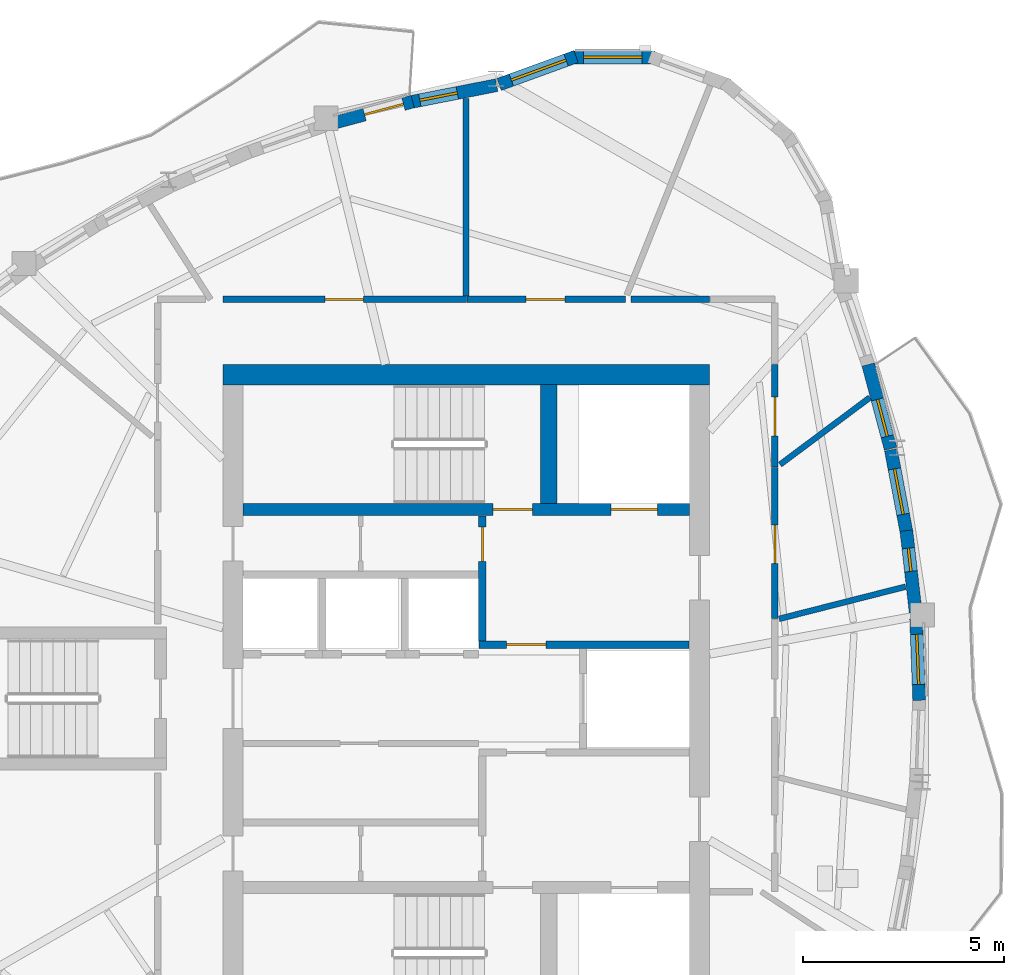
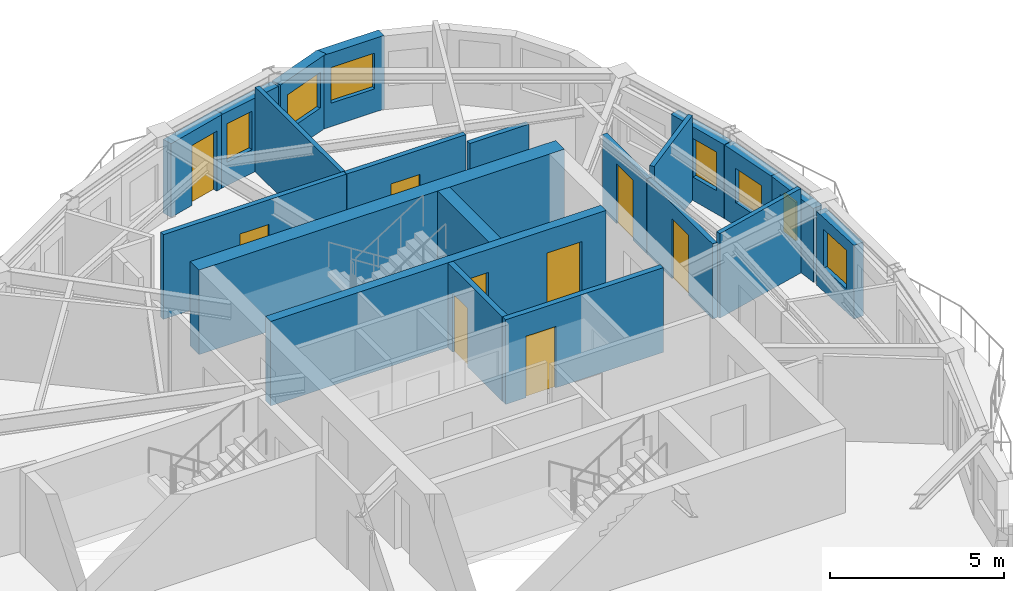
# One storey, part 6 of 11: 21 walls, 9 doors, 7 windows, 16 openings.
"""IFC4 building model written with IfcOpenShell, lengths in metres."""

from ifc_helpers import new_model, si_unit, direction, frame, frame_2d, origin, place, context, subcontext, project, spatial, rectangle, extrude, source, transform, mapped, material, layer, layer_set, type_object, element, fill, save


model = new_model("IFC4")

# Units and contexts
model_context = context("Model", 3, precision=1e-05, world=origin(), true_north=direction((0.0, 1.0)))
body_context = subcontext(model_context, "Body", "Model", "MODEL_VIEW")
ifc_project = project(units=[si_unit("LENGTHUNIT", "METRE"), si_unit("AREAUNIT", "SQUARE_METRE"), si_unit("VOLUMEUNIT", "CUBIC_METRE"), si_unit("PLANEANGLEUNIT", "RADIAN"), si_unit("MASSUNIT", "GRAM", prefix="KILO")], contexts=[model_context])

# Site, building, storey
site_placement = place(None, origin())
site = spatial("IfcSite", under=ifc_project, at=site_placement, CompositionType="ELEMENT")
building_placement = place(site_placement, origin())
building = spatial("IfcBuilding", under=site, at=building_placement, Name="Qafzar Sky-Pleat Residences", CompositionType="ELEMENT")
storey_placement = place(building_placement, frame((0.0, 0.0, 234.0)))
storey = spatial("IfcBuildingStorey", under=building, at=storey_placement, Name="L70", CompositionType="ELEMENT", Elevation=234.0)

# Wall, opening, door
ifc_material_1 = material(Name="Acoustic gypsum plasterboard partition", Category="gypsum")
ifc_layer_1 = layer(ifc_material_1, 0.159912109375)
ifc_layer_set_1 = layer_set([ifc_layer_1], Name="Acoustic gypsum plasterboard partition")
wall_type_1 = type_object("IfcWallType", Name="PART-COR-160", PredefinedType="PARTITIONING", material=ifc_layer_set_1)
wall_1_placement = place(storey_placement, frame((24.300048828125, 35.919921875, 0.0), z_axis=(0.0, 0.0, 1.0), x_axis=(1.0, 0.0, 0.0)))
wall_1 = element("IfcWall", 1, at=wall_1_placement, inside=storey, type_object=wall_type_1, Name="L70 Partition Wall PART-L70-PW-001", PredefinedType="PARTITIONING", context=body_context, shape_type="SweptSolid", body=[
    extrude(rectangle(XDim=6.057861328125, YDim=0.159912109375, at=frame_2d((3.02880859375, 0.0))), origin(), (0.0, 0.0, 1.0), 2.9599609375),
])
opening_1_placement = place(wall_1_placement, frame((2.54150390625, 0.0, 0.0)))
opening_1 = element("IfcOpeningElement", 2, at=opening_1_placement, cuts=wall_1, Name="Opening ID-06", PredefinedType="OPENING", context=body_context, shape_type="SweptSolid", body=[
    extrude(rectangle(XDim=0.9599609375, YDim=2.10009765625, at=frame_2d((0.47998046875, 1.050048828125))), frame((0.0, 0.08984375, 0.0), z_axis=(0.0, -1.0, 0.0), x_axis=(1.0, 0.0, 0.0)), (0.0, 0.0, 1.0), 0.179931640625),
])
ifc_material_2 = material(Name="Timber-faced fire door", Category="wood")
door_type_1 = type_object("IfcDoorType", Name="DR-STD-960", OperationType="NOTDEFINED", PredefinedType="DOOR", material=ifc_material_2)
shared_shape_1 = source(origin(), body_context, "Body", "SweptSolid", [
    extrude(rectangle(XDim=0.9599609375, YDim=2.10009765625, at=frame_2d((0.47998046875, 1.050048828125))), frame((0.0, 0.02490234375, 0.0), z_axis=(0.0, -1.0, 0.0), x_axis=(1.0, 0.0, 0.0)), (0.0, 0.0, 1.0), 0.050048828125),
])
door_1_placement = place(opening_1_placement, origin())
door_1 = element("IfcDoor", 3, at=door_1_placement, inside=storey, type_object=door_type_1, Name="L70 Faculty Research Office Door", OperationType="SINGLE_SWING_LEFT", OverallHeight=2.10009765625, OverallWidth=0.9599609375, PredefinedType="DOOR", context=body_context, shape_type="MappedRepresentation", body=[
    mapped(shared_shape_1, transform((0.0, 0.0, 0.0), x_axis=(1.0, 0.0, 0.0), y_axis=(0.0, 1.0, 0.0), z_axis=(0.0, 0.0, 1.0), scale=1.0)),
])
fill(opening_1, door_1)

wall_2_placement = place(storey_placement, frame((30.373046875, 35.919921875, 0.0), z_axis=(0.0, 0.0, 1.0), x_axis=(1.0, 0.0, 0.0)))
wall_2 = element("IfcWall", 4, at=wall_2_placement, inside=storey, type_object=wall_type_1, Name="L70 Partition Wall PART-L70-PW-004", PredefinedType="PARTITIONING", context=body_context, shape_type="SweptSolid", body=[
    extrude(rectangle(XDim=3.93994140625, YDim=0.159912109375, at=frame_2d((1.969970703125, 0.0))), origin(), (0.0, 0.0, 1.0), 2.9599609375),
])
opening_2_placement = place(wall_2_placement, frame((1.467041015625, 0.0, 0.0)))
opening_2 = element("IfcOpeningElement", 5, at=opening_2_placement, cuts=wall_2, Name="Opening ID-06", PredefinedType="OPENING", context=body_context, shape_type="SweptSolid", body=[
    extrude(rectangle(XDim=0.9599609375, YDim=2.10009765625, at=frame_2d((0.47998046875, 1.050048828125))), frame((0.0, 0.08984375, 0.0), z_axis=(0.0, -1.0, 0.0), x_axis=(1.0, 0.0, 0.0)), (0.0, 0.0, 1.0), 0.179931640625),
])
door_2_placement = place(opening_2_placement, origin())
door_2 = element("IfcDoor", 6, at=door_2_placement, inside=storey, type_object=door_type_1, Name="L70 Reading Library Door", OperationType="SINGLE_SWING_LEFT", OverallHeight=2.10009765625, OverallWidth=0.9599609375, PredefinedType="DOOR", context=body_context, shape_type="MappedRepresentation", body=[
    mapped(shared_shape_1, transform((0.0, 0.0, 0.0), x_axis=(1.0, 0.0, 0.0), y_axis=(0.0, 1.0, 0.0), z_axis=(0.0, 0.0, 1.0), scale=1.0)),
])
fill(opening_2, door_2)

wall_3_placement = place(storey_placement, frame((38.02001953125, 31.739013671875, 0.0), z_axis=(0.0, 0.0, 1.0), x_axis=(0.0, -1.0, 0.0)))
wall_3 = element("IfcWall", 7, at=wall_3_placement, inside=storey, type_object=wall_type_1, Name="L70 Partition Wall PART-L70-PW-006", PredefinedType="PARTITIONING", context=body_context, shape_type="SweptSolid", body=[
    extrude(rectangle(XDim=3.755126953125, YDim=0.159912109375, at=frame_2d((1.87744140625, 0.0))), origin(), (0.0, 0.0, 1.0), 2.6279296875),
])
opening_3_placement = place(wall_3_placement, frame((1.422119140625, 0.0, 0.0)))
opening_3 = element("IfcOpeningElement", 8, at=opening_3_placement, cuts=wall_3, Name="Opening ID-06", PredefinedType="OPENING", context=body_context, shape_type="SweptSolid", body=[
    extrude(rectangle(XDim=0.9599609375, YDim=2.10009765625, at=frame_2d((0.47998046875, 1.050048828125))), frame((0.0, 0.08984375, 0.0), z_axis=(0.0, -1.0, 0.0), x_axis=(1.0, 0.0, 0.0)), (0.0, 0.0, 1.0), 0.179931640625),
])
door_3_placement = place(opening_3_placement, origin())
door_3 = element("IfcDoor", 9, at=door_3_placement, inside=storey, type_object=door_type_1, Name="L70 Music Practice Room Door", OperationType="SINGLE_SWING_LEFT", OverallHeight=2.10009765625, OverallWidth=0.9599609375, PredefinedType="DOOR", context=body_context, shape_type="MappedRepresentation", body=[
    mapped(shared_shape_1, transform((0.0, 0.0, 0.0), x_axis=(1.0, 0.0, 0.0), y_axis=(0.0, 1.0, 0.0), z_axis=(0.0, 0.0, 1.0), scale=1.0)),
])
fill(opening_3, door_3)

wall_4_placement = place(storey_placement, frame((38.02001953125, 31.75390625, 0.0), z_axis=(0.0, 0.0, 1.0), x_axis=(0.0, 1.0, 0.0)))
wall_4 = element("IfcWall", 10, at=wall_4_placement, inside=storey, type_object=wall_type_1, Name="L70 Partition Wall PART-L70-PW-008", PredefinedType="PARTITIONING", context=body_context, shape_type="SweptSolid", body=[
    extrude(rectangle(XDim=2.546142578125, YDim=0.159912109375, at=frame_2d((1.27294921875, 0.0))), origin(), (0.0, 0.0, 1.0), 2.6279296875),
])
opening_4_placement = place(wall_4_placement, frame((0.77587890625, 0.0, 0.0)))
opening_4 = element("IfcOpeningElement", 11, at=opening_4_placement, cuts=wall_4, Name="Opening ID-06", PredefinedType="OPENING", context=body_context, shape_type="SweptSolid", body=[
    extrude(rectangle(XDim=0.9599609375, YDim=2.10009765625, at=frame_2d((0.47998046875, 1.050048828125))), frame((0.0, 0.08984375, 0.0), z_axis=(0.0, -1.0, 0.0), x_axis=(1.0, 0.0, 0.0)), (0.0, 0.0, 1.0), 0.179931640625),
])
door_4_placement = place(opening_4_placement, origin())
door_4 = element("IfcDoor", 12, at=door_4_placement, inside=storey, type_object=door_type_1, Name="L70 Wellness Yoga Studio Door", OperationType="SINGLE_SWING_LEFT", OverallHeight=2.10009765625, OverallWidth=0.9599609375, PredefinedType="DOOR", context=body_context, shape_type="MappedRepresentation", body=[
    mapped(shared_shape_1, transform((0.0, 0.0, 0.0), x_axis=(1.0, 0.0, 0.0), y_axis=(0.0, 1.0, 0.0), z_axis=(0.0, 0.0, 1.0), scale=1.0)),
])
fill(opening_4, door_4)

# Wall
wall_5_placement = place(storey_placement, frame((34.44580078125, 35.919921875, 0.0), z_axis=(0.0, 0.0, 1.0), x_axis=(1.0, 0.0, 0.0)))
element("IfcWall", 13, at=wall_5_placement, inside=storey, type_object=wall_type_1, Name="L70 Partition Wall PART-L70-PW-021", PredefinedType="PARTITIONING", context=body_context, shape_type="SweptSolid", body=[
    extrude(rectangle(XDim=1.9541015625, YDim=0.159912109375, at=frame_2d((0.97705078125, 0.0))), origin(), (0.0, 0.0, 1.0), 2.597900390625),
])

# Wall, opening, door
ifc_material_3 = material(Name="Concrete blockwork partition", Category="masonry")
ifc_layer_2 = layer(ifc_material_3, 0.179931640625)
ifc_layer_set_2 = layer_set([ifc_layer_2], Name="Concrete blockwork partition")
wall_type_2 = type_object("IfcWallType", Name="PART-SHAFT-180", PredefinedType="PARTITIONING", material=ifc_layer_set_2)
wall_6_placement = place(storey_placement, frame((30.75, 27.429931640625, 0.0), z_axis=(0.0, 0.0, 1.0), x_axis=(0.0, 1.0, 0.0)))
wall_6 = element("IfcWall", 14, at=wall_6_placement, inside=storey, type_object=wall_type_2, Name="L70 Partition Wall PART-L70-FFL2-W", PredefinedType="PARTITIONING", context=body_context, shape_type="SweptSolid", body=[
    extrude(rectangle(XDim=3.110107421875, YDim=0.179931640625, at=frame_2d((1.55517578125, 0.0))), origin(), (0.0, 0.0, 1.0), 2.9599609375),
])
opening_5_placement = place(wall_6_placement, frame((1.97998046875, 0.0, 0.0)))
opening_5 = element("IfcOpeningElement", 15, at=opening_5_placement, cuts=wall_6, Name="Opening ID-09", PredefinedType="OPENING", context=body_context, shape_type="SweptSolid", body=[
    extrude(rectangle(XDim=0.860107421875, YDim=2.050048828125, at=frame_2d((0.43017578125, 1.02490234375))), frame((0.0, 0.10009765625, 0.0), z_axis=(0.0, -1.0, 0.0), x_axis=(1.0, 0.0, 0.0)), (0.0, 0.0, 1.0), 0.199951171875),
])
door_type_2 = type_object("IfcDoorType", Name="DR-SVC-860", OperationType="NOTDEFINED", PredefinedType="DOOR", material=ifc_material_2)
shared_shape_2 = source(origin(), body_context, "Body", "SweptSolid", [
    extrude(rectangle(XDim=0.860107421875, YDim=2.050048828125, at=frame_2d((0.43017578125, 1.02490234375))), frame((0.0, 0.02490234375, 0.0), z_axis=(0.0, -1.0, 0.0), x_axis=(1.0, 0.0, 0.0)), (0.0, 0.0, 1.0), 0.050048828125),
])
door_5_placement = place(opening_5_placement, origin())
door_5 = element("IfcDoor", 16, at=door_5_placement, inside=storey, type_object=door_type_2, Name="L70 North Core Cupboard Door", OperationType="SINGLE_SWING_RIGHT", OverallHeight=2.050048828125, OverallWidth=0.860107421875, PredefinedType="DOOR", context=body_context, shape_type="MappedRepresentation", body=[
    mapped(shared_shape_2, transform((0.0, 0.0, 0.0), x_axis=(1.0, 0.0, 0.0), y_axis=(0.0, 1.0, 0.0), z_axis=(0.0, 0.0, 1.0), scale=1.0)),
])
fill(opening_5, door_5)

wall_7_placement = place(storey_placement, frame((30.669921875, 27.340087890625, 0.0), z_axis=(0.0, 0.0, 1.0), x_axis=(1.0, 0.0, 0.0)))
wall_7 = element("IfcWall", 17, at=wall_7_placement, inside=storey, type_object=wall_type_2, Name="L70 Partition Wall PART-L70-FFL2-S", PredefinedType="PARTITIONING", context=body_context, shape_type="SweptSolid", body=[
    extrude(rectangle(XDim=5.219970703125, YDim=0.179931640625, at=frame_2d((2.60986328125, 0.0))), origin(), (0.0, 0.0, 1.0), 2.9599609375),
])
opening_6_placement = place(wall_7_placement, frame((0.679931640625, 0.0, 0.0)))
opening_6 = element("IfcOpeningElement", 18, at=opening_6_placement, cuts=wall_7, Name="Opening ID-01", PredefinedType="OPENING", context=body_context, shape_type="SweptSolid", body=[
    extrude(rectangle(XDim=0.97998046875, YDim=2.14990234375, at=frame_2d((0.489990234375, 1.074951171875))), frame((0.0, 0.10009765625, 0.0), z_axis=(0.0, -1.0, 0.0), x_axis=(1.0, 0.0, 0.0)), (0.0, 0.0, 1.0), 0.199951171875),
])
door_type_3 = type_object("IfcDoorType", Name="DR-STAIR-980", OperationType="NOTDEFINED", PredefinedType="DOOR", material=ifc_material_2)
shared_shape_3 = source(origin(), body_context, "Body", "SweptSolid", [
    extrude(rectangle(XDim=0.97998046875, YDim=2.14990234375, at=frame_2d((0.489990234375, 1.074951171875))), frame((0.0, 0.02490234375, 0.0), z_axis=(0.0, -1.0, 0.0), x_axis=(1.0, 0.0, 0.0)), (0.0, 0.0, 1.0), 0.050048828125),
])
door_6_placement = place(opening_6_placement, origin())
door_6 = element("IfcDoor", 19, at=door_6_placement, inside=storey, type_object=door_type_3, Name="L70 Lift Lobby to North Firefighting Lobby Door", OperationType="SINGLE_SWING_LEFT", OverallHeight=2.14990234375, OverallWidth=0.97998046875, PredefinedType="DOOR", context=body_context, shape_type="MappedRepresentation", body=[
    mapped(shared_shape_3, transform((0.0, 0.0, 0.0), x_axis=(1.0, 0.0, 0.0), y_axis=(0.0, 1.0, 0.0), z_axis=(0.0, 0.0, 1.0), scale=1.0)),
])
fill(opening_6, door_6)

# Walls
ifc_layer_3 = layer(ifc_material_1, 0.14501953125)
ifc_layer_set_3 = layer_set([ifc_layer_3], Name="Acoustic gypsum plasterboard partition")
wall_type_3 = type_object("IfcWallType", Name="PART-UNIT-145", PredefinedType="PARTITIONING", material=ifc_layer_set_3)
wall_8_placement = place(storey_placement, frame((30.340087890625, 40.909912109375, 0.0), z_axis=(0.0, 0.0, 1.0), x_axis=(0.000597668984, -0.999999821396, 0.0)))
element("IfcWall", 20, at=wall_8_placement, inside=storey, type_object=wall_type_3, Name="L70 Partition Wall PART-L70-PW-014", PredefinedType="PARTITIONING", context=body_context, shape_type="SweptSolid", body=[
    extrude(rectangle(XDim=4.90185546875, YDim=0.14501953125, at=frame_2d((2.450927734375, 0.0))), origin(), (0.0, 0.0, 1.0), 2.9599609375),
])
wall_9_placement = place(storey_placement, frame((38.12548828125, 27.98095703125, 0.0), z_axis=(0.0, 0.0, 1.0), x_axis=(0.969102081124, 0.246660001541, 0.0)))
element("IfcWall", 21, at=wall_9_placement, inside=storey, type_object=wall_type_3, Name="L70 Partition Wall PART-L70-PW-018", PredefinedType="PARTITIONING", context=body_context, shape_type="SweptSolid", body=[
    extrude(rectangle(XDim=3.243408203125, YDim=0.14501953125, at=frame_2d((1.62158203125, 0.0))), origin(), (0.0, 0.0, 1.0), 2.9599609375),
])
wall_10_placement = place(storey_placement, frame((38.14990234375, 31.81689453125, 0.0), z_axis=(0.0, 0.0, 1.0), x_axis=(0.8016068225, 0.597851571982, 0.0)))
element("IfcWall", 22, at=wall_10_placement, inside=storey, type_object=wall_type_3, Name="L70 Partition Wall PART-L70-PW-019", PredefinedType="PARTITIONING", context=body_context, shape_type="SweptSolid", body=[
    extrude(rectangle(XDim=2.78466796875, YDim=0.14501953125, at=frame_2d((1.392333984375, 0.0))), origin(), (0.0, 0.0, 1.0), 2.9599609375),
])

# Wall, opening, window
ifc_material_4 = material(Name="Precast concrete C40/50 with honed Riyadh limestone", Category="concrete")
ifc_layer_4 = layer(ifc_material_4, 0.320068359375)
ifc_layer_set_4 = layer_set([ifc_layer_4], Name="Precast concrete C40/50 with honed Riyadh limestone")
wall_type_4 = type_object("IfcWallType", Name="WALL-EXT-320", PredefinedType="SOLIDWALL", material=ifc_layer_set_4)
wall_11_placement = place(storey_placement, frame((41.609619140625, 25.9560546875, 0.0), z_axis=(0.0, 0.0, 1.0), x_axis=(-0.038076792699, 0.999274815983, 0.0)))
wall_11 = element("IfcWall", 23, at=wall_11_placement, inside=storey, type_object=wall_type_4, Name="L70 Limestone Facade Wall 28", PredefinedType="SOLIDWALL", context=body_context, shape_type="SweptSolid", body=[
    extrude(rectangle(XDim=2.026123046875, YDim=0.320068359375, at=frame_2d((1.01318359375, 0.0))), origin(), (0.0, 0.0, 1.0), 2.580078125),
])
opening_7_placement = place(wall_11_placement, frame((0.39306640625, 0.0, 0.820068359375)))
opening_7 = element("IfcOpeningElement", 24, at=opening_7_placement, cuts=wall_11, Name="Opening WN-11", PredefinedType="OPENING", context=body_context, shape_type="SweptSolid", body=[
    extrude(rectangle(XDim=1.25, YDim=1.35009765625, at=frame_2d((0.625, 0.675048828125))), frame((0.0, 0.169921875, 0.0), z_axis=(0.0, -1.0, 0.0), x_axis=(1.0, 0.0, 0.0)), (0.0, 0.0, 1.0), 0.340087890625),
])
ifc_material_5 = material(Name="Solar-control low-E glass in bronze aluminium frame", Category="glass")
window_type_1 = type_object("IfcWindowType", Name="WIN-11", PartitioningType="SINGLE_PANEL", PredefinedType="WINDOW", material=ifc_material_5)
shared_shape_4 = source(origin(), body_context, "Body", "SweptSolid", [
    extrude(rectangle(XDim=1.25, YDim=1.35009765625, at=frame_2d((0.625, 0.675048828125))), frame((0.0, 0.030029296875, 0.0), z_axis=(0.0, -1.0, 0.0), x_axis=(1.0, 0.0, 0.0)), (0.0, 0.0, 1.0), 0.06005859375),
])
window_1_placement = place(opening_7_placement, origin())
window_1 = element("IfcWindow", 25, at=window_1_placement, inside=storey, type_object=window_type_1, Name="L70 Punched Facade Window 28", OverallHeight=1.35009765625, OverallWidth=1.25, PartitioningType="SINGLE_PANEL", PredefinedType="WINDOW", context=body_context, shape_type="MappedRepresentation", body=[
    mapped(shared_shape_4, transform((0.0, 0.0, 0.0), x_axis=(1.0, 0.0, 0.0), y_axis=(0.0, 1.0, 0.0), z_axis=(0.0, 0.0, 1.0), scale=1.0)),
])
fill(opening_7, window_1)

wall_12_placement = place(storey_placement, frame((41.519775390625, 28.14794921875, 0.0), z_axis=(0.0, 0.0, 1.0), x_axis=(-0.113310120223, 0.993559669398, 0.0)))
wall_12 = element("IfcWall", 26, at=wall_12_placement, inside=storey, type_object=wall_type_4, Name="L70 Limestone Facade Wall 29", PredefinedType="SOLIDWALL", context=body_context, shape_type="SweptSolid", body=[
    extrude(rectangle(XDim=2.038330078125, YDim=0.320068359375, at=frame_2d((1.01904296875, 0.0))), origin(), (0.0, 0.0, 1.0), 2.580078125),
])
opening_8_placement = place(wall_12_placement, frame((1.019775390625, 0.0, 0.820068359375)))
opening_8 = element("IfcOpeningElement", 27, at=opening_8_placement, cuts=wall_12, Name="Opening WN-17", PredefinedType="OPENING", context=body_context, shape_type="SweptSolid", body=[
    extrude(rectangle(XDim=0.580078125, YDim=1.35009765625, at=frame_2d((0.2900390625, 0.675048828125))), frame((0.0, 0.169921875, 0.0), z_axis=(0.0, -1.0, 0.0), x_axis=(1.0, 0.0, 0.0)), (0.0, 0.0, 1.0), 0.340087890625),
])
window_type_2 = type_object("IfcWindowType", Name="WIN-17", PartitioningType="SINGLE_PANEL", PredefinedType="WINDOW", material=ifc_material_5)
shared_shape_5 = source(origin(), body_context, "Body", "SweptSolid", [
    extrude(rectangle(XDim=0.580078125, YDim=1.35009765625, at=frame_2d((0.2900390625, 0.675048828125))), frame((0.0, 0.030029296875, 0.0), z_axis=(0.0, -1.0, 0.0), x_axis=(1.0, 0.0, 0.0)), (0.0, 0.0, 1.0), 0.06005859375),
])
window_2_placement = place(opening_8_placement, origin())
window_2 = element("IfcWindow", 28, at=window_2_placement, inside=storey, type_object=window_type_2, Name="L70 Punched Facade Window 29-2", OverallHeight=1.35009765625, OverallWidth=0.580078125, PartitioningType="SINGLE_PANEL", PredefinedType="WINDOW", context=body_context, shape_type="MappedRepresentation", body=[
    mapped(shared_shape_5, transform((0.0, 0.0, 0.0), x_axis=(1.0, 0.0, 0.0), y_axis=(0.0, 1.0, 0.0), z_axis=(0.0, 0.0, 1.0), scale=1.0)),
])
fill(opening_8, window_2)

wall_13_placement = place(storey_placement, frame((41.302001953125, 30.086181640625, 0.0), z_axis=(0.0, 0.0, 1.0), x_axis=(-0.186549011882, 0.982445655579, 0.0)))
wall_13 = element("IfcWall", 29, at=wall_13_placement, inside=storey, type_object=wall_type_4, Name="L70 Limestone Facade Wall 30", PredefinedType="SOLIDWALL", context=body_context, shape_type="SweptSolid", body=[
    extrude(rectangle(XDim=2.1318359375, YDim=0.320068359375, at=frame_2d((1.06591796875, 0.0))), origin(), (0.0, 0.0, 1.0), 2.580078125),
])
opening_9_placement = place(wall_13_placement, frame((0.5009765625, 0.0, 0.820068359375)))
opening_9 = element("IfcOpeningElement", 30, at=opening_9_placement, cuts=wall_13, Name="Opening WN-16", PredefinedType="OPENING", context=body_context, shape_type="SweptSolid", body=[
    extrude(rectangle(XDim=1.14990234375, YDim=1.199951171875, at=frame_2d((0.574951171875, 0.60009765625))), frame((0.0, 0.169921875, 0.0), z_axis=(0.0, -1.0, 0.0), x_axis=(1.0, 0.0, 0.0)), (0.0, 0.0, 1.0), 0.340087890625),
])
window_type_3 = type_object("IfcWindowType", Name="WIN-16", PartitioningType="SINGLE_PANEL", PredefinedType="WINDOW", material=ifc_material_5)
shared_shape_6 = source(origin(), body_context, "Body", "SweptSolid", [
    extrude(rectangle(XDim=1.14990234375, YDim=1.199951171875, at=frame_2d((0.574951171875, 0.60009765625))), frame((0.0, 0.030029296875, 0.0), z_axis=(0.0, -1.0, 0.0), x_axis=(1.0, 0.0, 0.0)), (0.0, 0.0, 1.0), 0.06005859375),
])
window_3_placement = place(opening_9_placement, origin())
window_3 = element("IfcWindow", 31, at=window_3_placement, inside=storey, type_object=window_type_3, Name="L70 Punched Facade Window 30", OverallHeight=1.199951171875, OverallWidth=1.14990234375, PartitioningType="SINGLE_PANEL", PredefinedType="WINDOW", context=body_context, shape_type="MappedRepresentation", body=[
    mapped(shared_shape_6, transform((0.0, 0.0, 0.0), x_axis=(1.0, 0.0, 0.0), y_axis=(0.0, 1.0, 0.0), z_axis=(0.0, 0.0, 1.0), scale=1.0)),
])
fill(opening_9, window_3)

wall_14_placement = place(storey_placement, frame((40.89794921875, 32.20849609375, 0.0), z_axis=(0.0, 0.0, 1.0), x_axis=(-0.257115616442, 0.966380649528, 0.0)))
wall_14 = element("IfcWall", 32, at=wall_14_placement, inside=storey, type_object=wall_type_4, Name="L70 Limestone Facade Wall 31", PredefinedType="SOLIDWALL", context=body_context, shape_type="SweptSolid", body=[
    extrude(rectangle(XDim=2.166748046875, YDim=0.320068359375, at=frame_2d((1.08349609375, 0.0))), origin(), (0.0, 0.0, 1.0), 2.580078125),
])
opening_10_placement = place(wall_14_placement, frame((0.32080078125, 0.0, 0.820068359375)))
opening_10 = element("IfcOpeningElement", 33, at=opening_10_placement, cuts=wall_14, Name="Opening WN-12", PredefinedType="OPENING", context=body_context, shape_type="SweptSolid", body=[
    extrude(rectangle(XDim=0.949951171875, YDim=1.35009765625, at=frame_2d((0.47509765625, 0.675048828125))), frame((0.0, 0.169921875, 0.0), z_axis=(0.0, -1.0, 0.0), x_axis=(1.0, 0.0, 0.0)), (0.0, 0.0, 1.0), 0.340087890625),
])
window_type_4 = type_object("IfcWindowType", Name="WIN-12", PartitioningType="SINGLE_PANEL", PredefinedType="WINDOW", material=ifc_material_5)
shared_shape_7 = source(origin(), body_context, "Body", "SweptSolid", [
    extrude(rectangle(XDim=0.949951171875, YDim=1.35009765625, at=frame_2d((0.47509765625, 0.675048828125))), frame((0.0, 0.030029296875, 0.0), z_axis=(0.0, -1.0, 0.0), x_axis=(1.0, 0.0, 0.0)), (0.0, 0.0, 1.0), 0.06005859375),
])
window_4_placement = place(opening_10_placement, origin())
window_4 = element("IfcWindow", 34, at=window_4_placement, inside=storey, type_object=window_type_4, Name="L70 Punched Facade Window 31", OverallHeight=1.35009765625, OverallWidth=0.949951171875, PartitioningType="SINGLE_PANEL", PredefinedType="WINDOW", context=body_context, shape_type="MappedRepresentation", body=[
    mapped(shared_shape_7, transform((0.0, 0.0, 0.0), x_axis=(1.0, 0.0, 0.0), y_axis=(0.0, 1.0, 0.0), z_axis=(0.0, 0.0, 1.0), scale=1.0)),
])
fill(opening_10, window_4)

wall_15_placement = place(storey_placement, frame((35.040283203125, 41.935546875, 0.0), z_axis=(0.0, 0.0, 1.0), x_axis=(-1.0, 0.0, 0.0)))
wall_15 = element("IfcWall", 35, at=wall_15_placement, inside=storey, type_object=wall_type_4, Name="L70 Limestone Facade Wall 37", PredefinedType="SOLIDWALL", context=body_context, shape_type="SweptSolid", body=[
    extrude(rectangle(XDim=2.090576171875, YDim=0.320068359375, at=frame_2d((1.04541015625, 0.0))), origin(), (0.0, 0.0, 1.0), 2.580078125),
])
opening_11_placement = place(wall_15_placement, frame((0.3203125, 0.0, 0.820068359375)))
opening_11 = element("IfcOpeningElement", 36, at=opening_11_placement, cuts=wall_15, Name="Opening WN-15", PredefinedType="OPENING", context=body_context, shape_type="SweptSolid", body=[
    extrude(rectangle(XDim=1.449951171875, YDim=1.25, at=frame_2d((0.72509765625, 0.625))), frame((0.0, 0.169921875, 0.0), z_axis=(0.0, -1.0, 0.0), x_axis=(1.0, 0.0, 0.0)), (0.0, 0.0, 1.0), 0.340087890625),
])
window_type_5 = type_object("IfcWindowType", Name="WIN-15", PartitioningType="SINGLE_PANEL", PredefinedType="WINDOW", material=ifc_material_5)
shared_shape_8 = source(origin(), body_context, "Body", "SweptSolid", [
    extrude(rectangle(XDim=1.449951171875, YDim=1.25, at=frame_2d((0.72509765625, 0.625))), frame((0.0, 0.030029296875, 0.0), z_axis=(0.0, -1.0, 0.0), x_axis=(1.0, 0.0, 0.0)), (0.0, 0.0, 1.0), 0.06005859375),
])
window_5_placement = place(opening_11_placement, origin())
window_5 = element("IfcWindow", 37, at=window_5_placement, inside=storey, type_object=window_type_5, Name="L70 Punched Facade Window 37", OverallHeight=1.25, OverallWidth=1.449951171875, PartitioningType="SINGLE_PANEL", PredefinedType="WINDOW", context=body_context, shape_type="MappedRepresentation", body=[
    mapped(shared_shape_8, transform((0.0, 0.0, 0.0), x_axis=(1.0, 0.0, 0.0), y_axis=(0.0, 1.0, 0.0), z_axis=(0.0, 0.0, 1.0), scale=1.0)),
])
fill(opening_11, window_5)

wall_16_placement = place(storey_placement, frame((33.078125, 41.9580078125, 0.0), z_axis=(0.0, 0.0, 1.0), x_axis=(-0.939730268502, -0.341916689358, 0.0)))
wall_16 = element("IfcWall", 38, at=wall_16_placement, inside=storey, type_object=wall_type_4, Name="L70 Limestone Facade Wall 38", PredefinedType="SOLIDWALL", context=body_context, shape_type="SweptSolid", body=[
    extrude(rectangle(XDim=2.0322265625, YDim=0.320068359375, at=frame_2d((1.01611328125, 0.0))), origin(), (0.0, 0.0, 1.0), 2.580078125),
])
opening_12_placement = place(wall_16_placement, frame((0.260986328125, 0.0, 0.820068359375)))
opening_12 = element("IfcOpeningElement", 39, at=opening_12_placement, cuts=wall_16, Name="Opening WN-15", PredefinedType="OPENING", context=body_context, shape_type="SweptSolid", body=[
    extrude(rectangle(XDim=1.449951171875, YDim=1.25, at=frame_2d((0.72509765625, 0.625))), frame((0.0, 0.169921875, 0.0), z_axis=(0.0, -1.0, 0.0), x_axis=(1.0, 0.0, 0.0)), (0.0, 0.0, 1.0), 0.340087890625),
])
window_6_placement = place(opening_12_placement, origin())
window_6 = element("IfcWindow", 40, at=window_6_placement, inside=storey, type_object=window_type_5, Name="L70 Punched Facade Window 38", OverallHeight=1.25, OverallWidth=1.449951171875, PartitioningType="SINGLE_PANEL", PredefinedType="WINDOW", context=body_context, shape_type="MappedRepresentation", body=[
    mapped(shared_shape_8, transform((0.0, 0.0, 0.0), x_axis=(1.0, 0.0, 0.0), y_axis=(0.0, 1.0, 0.0), z_axis=(0.0, 0.0, 1.0), scale=1.0)),
])
fill(opening_12, window_6)

wall_17_placement = place(storey_placement, frame((31.106201171875, 41.24560546875, 0.0), z_axis=(0.0, 0.0, 1.0), x_axis=(-0.981245466498, -0.192762378272, 0.0)))
wall_17 = element("IfcWall", 41, at=wall_17_placement, inside=storey, type_object=wall_type_4, Name="L70 Limestone Facade Wall 39", PredefinedType="SOLIDWALL", context=body_context, shape_type="SweptSolid", body=[
    extrude(rectangle(XDim=2.212646484375, YDim=0.320068359375, at=frame_2d((1.1064453125, 0.0))), origin(), (0.0, 0.0, 1.0), 2.580078125),
])
opening_13_placement = place(wall_17_placement, frame((0.99658203125, 0.0, 0.820068359375)))
opening_13 = element("IfcOpeningElement", 42, at=opening_13_placement, cuts=wall_17, Name="Opening WN-12", PredefinedType="OPENING", context=body_context, shape_type="SweptSolid", body=[
    extrude(rectangle(XDim=0.949951171875, YDim=1.35009765625, at=frame_2d((0.47509765625, 0.675048828125))), frame((0.0, 0.169921875, 0.0), z_axis=(0.0, -1.0, 0.0), x_axis=(1.0, 0.0, 0.0)), (0.0, 0.0, 1.0), 0.340087890625),
])
window_7_placement = place(opening_13_placement, origin())
window_7 = element("IfcWindow", 43, at=window_7_placement, inside=storey, type_object=window_type_4, Name="L70 Punched Facade Window 39-2", OverallHeight=1.35009765625, OverallWidth=0.949951171875, PartitioningType="SINGLE_PANEL", PredefinedType="WINDOW", context=body_context, shape_type="MappedRepresentation", body=[
    mapped(shared_shape_7, transform((0.0, 0.0, 0.0), x_axis=(1.0, 0.0, 0.0), y_axis=(0.0, 1.0, 0.0), z_axis=(0.0, 0.0, 1.0), scale=1.0)),
])
fill(opening_13, window_7)

# Wall, opening, door
wall_18_placement = place(storey_placement, frame((29.019775390625, 40.838623046875, 0.0), z_axis=(0.0, 0.0, 1.0), x_axis=(-0.965482976667, -0.260466162422, 0.0)))
wall_18 = element("IfcWall", 44, at=wall_18_placement, inside=storey, type_object=wall_type_4, Name="L70 Limestone Facade Wall 40", PredefinedType="SOLIDWALL", context=body_context, shape_type="SweptSolid", body=[
    extrude(rectangle(XDim=2.0966796875, YDim=0.320068359375, at=frame_2d((1.04833984375, 0.0))), origin(), (0.0, 0.0, 1.0), 2.580078125),
])
opening_14_placement = place(wall_18_placement, frame((0.239990234375, 0.0, 0.0)))
opening_14 = element("IfcOpeningElement", 45, at=opening_14_placement, cuts=wall_18, Name="Opening ED-05", PredefinedType="OPENING", context=body_context, shape_type="SweptSolid", body=[
    extrude(rectangle(XDim=1.0, YDim=2.10009765625, at=frame_2d((0.5, 1.050048828125))), frame((0.0, 0.169921875, 0.0), z_axis=(0.0, -1.0, 0.0), x_axis=(1.0, 0.0, 0.0)), (0.0, 0.0, 1.0), 0.340087890625),
])
ifc_material_6 = material(Name="Glazed bronze aluminium door", Category="aluminium")
door_type_4 = type_object("IfcDoorType", Name="DR-BAL-1000", OperationType="NOTDEFINED", PredefinedType="DOOR", material=ifc_material_6)
shared_shape_9 = source(origin(), body_context, "Body", "SweptSolid", [
    extrude(rectangle(XDim=1.0, YDim=2.10009765625, at=frame_2d((0.5, 1.050048828125))), frame((0.0, 0.02490234375, 0.0), z_axis=(0.0, -1.0, 0.0), x_axis=(1.0, 0.0, 0.0)), (0.0, 0.0, 1.0), 0.050048828125),
])
door_7_placement = place(opening_14_placement, origin())
door_7 = element("IfcDoor", 46, at=door_7_placement, inside=storey, type_object=door_type_4, Name="L70 Glazed Balcony Door 2", OperationType="SINGLE_SWING_LEFT", OverallHeight=2.10009765625, OverallWidth=1.0, PredefinedType="DOOR", context=body_context, shape_type="MappedRepresentation", body=[
    mapped(shared_shape_9, transform((0.0, 0.0, 0.0), x_axis=(1.0, 0.0, 0.0), y_axis=(0.0, 1.0, 0.0), z_axis=(0.0, 0.0, 1.0), scale=1.0)),
])
fill(opening_14, door_7)

# Wall, openings, doors
ifc_material_7 = material(Name="Concrete C60/75", Category="concrete")
ifc_layer_5 = layer(ifc_material_7, 0.300048828125)
ifc_layer_set_5 = layer_set([ifc_layer_5], Name="Concrete C60/75")
wall_type_5 = type_object("IfcWallType", Name="WALL-SHEAR-300", PredefinedType="SHEAR", material=ifc_layer_set_5)
wall_19_placement = place(storey_placement, frame((24.800048828125, 30.699951171875, 0.0), z_axis=(0.0, 0.0, 1.0), x_axis=(1.0, 0.0, 0.0)))
wall_19 = element("IfcWall", 47, at=wall_19_placement, inside=storey, type_object=wall_type_5, Name="L70 Stair ST2 and FF2 Shaft South Wall", PredefinedType="SHEAR", context=body_context, shape_type="SweptSolid", body=[
    extrude(rectangle(XDim=11.099853515625, YDim=0.300048828125, at=frame_2d((5.5498046875, 0.0))), origin(), (0.0, 0.0, 1.0), 2.9599609375),
])
opening_15_placement = place(wall_19_placement, frame((6.219970703125, 0.0, 0.0)))
opening_15 = element("IfcOpeningElement", 48, at=opening_15_placement, cuts=wall_19, Name="Opening ID-01", PredefinedType="OPENING", context=body_context, shape_type="SweptSolid", body=[
    extrude(rectangle(XDim=0.97998046875, YDim=2.14990234375, at=frame_2d((0.489990234375, 1.074951171875))), frame((0.0, 0.16015625, 0.0), z_axis=(0.0, -1.0, 0.0), x_axis=(1.0, 0.0, 0.0)), (0.0, 0.0, 1.0), 0.320068359375),
])
opening_16_placement = place(wall_19_placement, frame((9.14990234375, 0.0, 0.0)))
opening_16 = element("IfcOpeningElement", 49, at=opening_16_placement, cuts=wall_19, Name="Opening LD-02", PredefinedType="OPENING", context=body_context, shape_type="SweptSolid", body=[
    extrude(rectangle(XDim=1.14990234375, YDim=2.14990234375, at=frame_2d((0.574951171875, 1.074951171875))), frame((0.0, 0.16015625, 0.0), z_axis=(0.0, -1.0, 0.0), x_axis=(1.0, 0.0, 0.0)), (0.0, 0.0, 1.0), 0.320068359375),
])
door_8_placement = place(opening_15_placement, origin())
door_8 = element("IfcDoor", 50, at=door_8_placement, inside=storey, type_object=door_type_3, Name="L70 Stair ST2 Fire Door", OperationType="SINGLE_SWING_RIGHT", OverallHeight=2.14990234375, OverallWidth=0.97998046875, PredefinedType="DOOR", context=body_context, shape_type="MappedRepresentation", body=[
    mapped(shared_shape_3, transform((0.0, 0.0, 0.0), x_axis=(1.0, 0.0, 0.0), y_axis=(0.0, 1.0, 0.0), z_axis=(0.0, 0.0, 1.0), scale=1.0)),
])
fill(opening_15, door_8)
ifc_material_8 = material(Name="Stainless steel sliding landing door", Category="steel")
door_type_5 = type_object("IfcDoorType", Name="DR-LIFT-FF", OperationType="DOUBLE_DOOR_SLIDING", PredefinedType="DOOR", material=ifc_material_8)
shared_shape_10 = source(origin(), body_context, "Body", "SweptSolid", [
    extrude(rectangle(XDim=1.14990234375, YDim=2.14990234375, at=frame_2d((0.574951171875, 1.074951171875))), frame((0.0, 0.02490234375, 0.0), z_axis=(0.0, -1.0, 0.0), x_axis=(1.0, 0.0, 0.0)), (0.0, 0.0, 1.0), 0.050048828125),
])
door_9_placement = place(opening_16_placement, origin())
door_9 = element("IfcDoor", 51, at=door_9_placement, inside=storey, type_object=door_type_5, Name="L70 Firefighting Lift FF2 Landing Door", OperationType="DOUBLE_DOOR_SLIDING", OverallHeight=2.14990234375, OverallWidth=1.14990234375, PredefinedType="DOOR", context=body_context, shape_type="MappedRepresentation", body=[
    mapped(shared_shape_10, transform((0.0, 0.0, 0.0), x_axis=(1.0, 0.0, 0.0), y_axis=(0.0, 1.0, 0.0), z_axis=(0.0, 0.0, 1.0), scale=1.0)),
])
fill(opening_16, door_9)

# Walls
ifc_layer_6 = layer(ifc_material_7, 0.39990234375)
ifc_layer_set_6 = layer_set([ifc_layer_6], Name="Concrete C60/75")
wall_type_6 = type_object("IfcWallType", Name="WALL-SHEAR-400", PredefinedType="SHEAR", material=ifc_layer_set_6)
wall_20_placement = place(storey_placement, frame((32.39990234375, 30.85009765625, 0.0), z_axis=(0.0, 0.0, 1.0), x_axis=(0.0, 1.0, 0.0)))
element("IfcWall", 52, at=wall_20_placement, inside=storey, type_object=wall_type_6, Name="L70 Stair ST2 East Dividing Wall", PredefinedType="SHEAR", context=body_context, shape_type="SweptSolid", body=[
    extrude(rectangle(XDim=2.949951171875, YDim=0.39990234375, at=frame_2d((1.47509765625, 0.0))), origin(), (0.0, 0.0, 1.0), 2.9599609375),
])
ifc_layer_7 = layer(ifc_material_7, 0.5)
ifc_layer_set_7 = layer_set([ifc_layer_7], Name="Concrete C60/75")
wall_type_7 = type_object("IfcWallType", Name="WALL-SHEAR-500", PredefinedType="SHEAR", material=ifc_layer_set_7)
wall_21_placement = place(storey_placement, frame((36.39990234375, 34.050048828125, 0.0), z_axis=(0.0, 0.0, 1.0), x_axis=(-1.0, 0.0, 0.0)))
element("IfcWall", 53, at=wall_21_placement, inside=storey, type_object=wall_type_7, Name="L70 CORE wall N", PredefinedType="SHEAR", context=body_context, shape_type="SweptSolid", body=[
    extrude(rectangle(XDim=12.099853515625, YDim=0.5, at=frame_2d((6.0498046875, 0.0))), origin(), (0.0, 0.0, 1.0), 2.9599609375),
])

save(model, "model.ifc")
